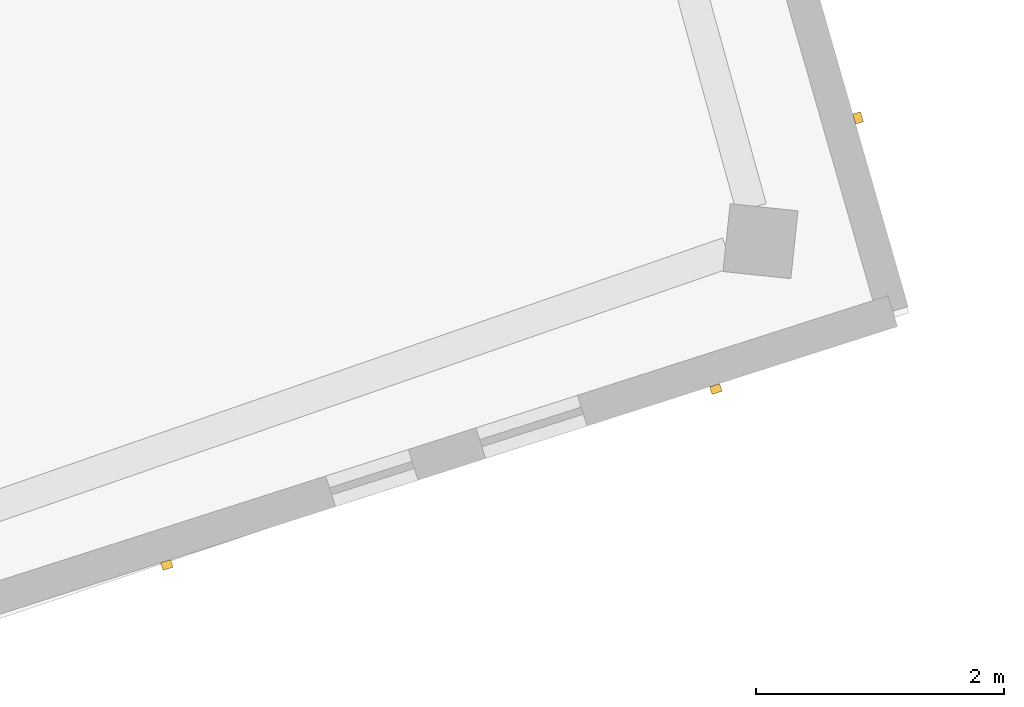
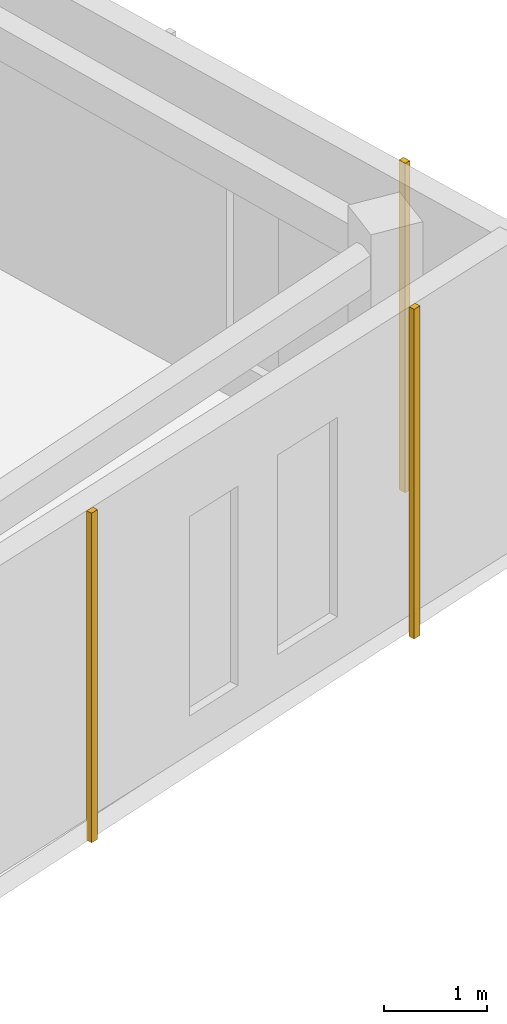
# One storey, part 147 of 150: 3 coverings.
"""IFC4 building model written with IfcOpenShell, lengths in metres."""

from ifc_helpers import new_model, si_unit, direction, frame, origin, origin_2d, place, context, subcontext, project, spatial, rectangle, extrude, material, layer, layer_set, type_object, element, save


model = new_model("IFC4")

# Units and contexts
model_context = context("Model", 3, precision=1e-05, world=origin(), true_north=direction((0.0, 1.0)))
body_context = subcontext(model_context, "Body", "Model", "MODEL_VIEW")
ifc_project = project(units=[si_unit("LENGTHUNIT", "METRE"), si_unit("AREAUNIT", "SQUARE_METRE"), si_unit("VOLUMEUNIT", "CUBIC_METRE"), si_unit("PLANEANGLEUNIT", "RADIAN"), si_unit("MASSUNIT", "GRAM", prefix="KILO")], contexts=[model_context])

# Site, building, storey
site_placement = place(None, origin())
site = spatial("IfcSite", under=ifc_project, at=site_placement, CompositionType="ELEMENT")
building_placement = place(site_placement, origin())
building = spatial("IfcBuilding", under=site, at=building_placement, Name="Kestramere Prow Commons", CompositionType="ELEMENT")
storey_placement = place(building_placement, frame((0.0, 0.0, 4.5)))
storey = spatial("IfcBuildingStorey", under=building, at=storey_placement, Name="L01", CompositionType="ELEMENT", Elevation=4.5)

# Coverings
ifc_material = material(Name="Weathered Zinc-Titanium Standing-Seam Cladding")
ifc_layer = layer(ifc_material, 0.074951171875)
ifc_layer_set = layer_set([ifc_layer], Name="Weathered Zinc-Titanium Standing-Seam Cladding")
covering_type = type_object("IfcCoveringType", Name="COV-CLAD-SEAM", PredefinedType="CLADDING", material=ifc_layer_set)
for number, where, z_axis, x_axis, name in (
    (1, (165.307861328125, 93.131103515625, -0.25), (0.0, 0.0, 1.0), (0.27631844013, -0.961066136977, 0.0), "EW-B-L01-PRW-N Standing-Seam Rib 11"),
    (2, (164.16015625, 90.94384765625, -0.25), (0.0, 0.0, 1.0), (-0.952283464374, -0.305215011884, 0.0), "EW-B-L01-PRW-S Standing-Seam Rib 1"),
    (3, (159.73046875, 89.524169921875, -0.25), (0.0, 0.0, 1.0), (-0.952283464374, -0.305215011884, 0.0), "EW-B-L01-PRW-S Standing-Seam Rib 4"),
):
    element("IfcCovering", number, at=place(storey_placement, frame(where, z_axis=z_axis, x_axis=x_axis)), inside=storey, type_object=covering_type, Name=name, PredefinedType="CLADDING", context=body_context, shape_type="SweptSolid", body=[
        extrude(rectangle(XDim=0.0849609375, YDim=0.06494140625, at=origin_2d()), origin(), (0.0, 0.0, 1.0), 3.89990234375),
    ])

save(model, "model.ifc")
